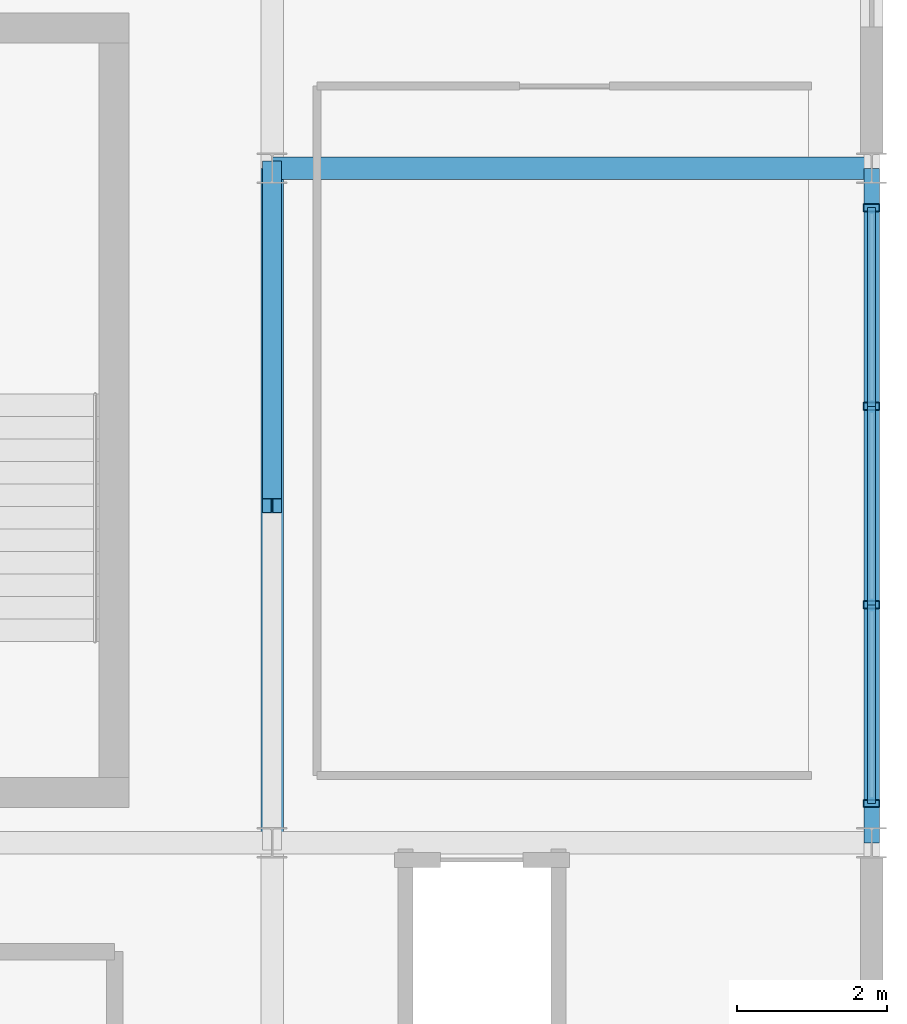
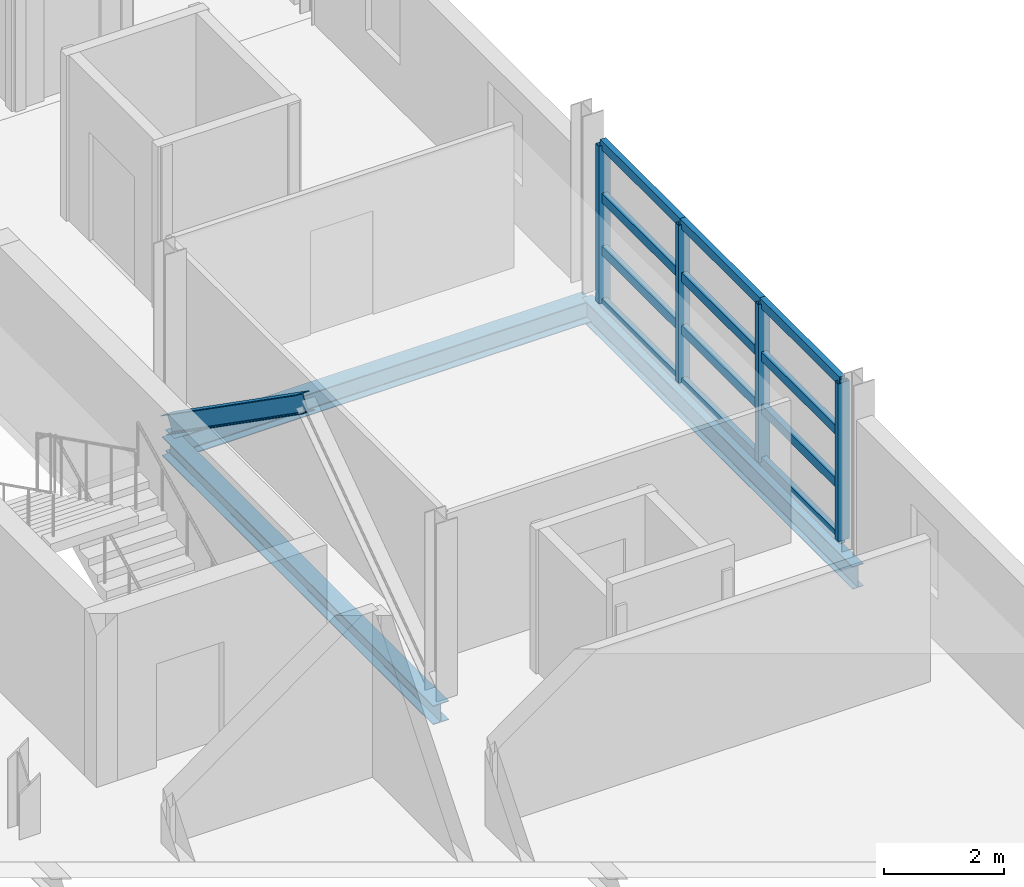
# One storey, part 73 of 116: 17 members, 3 beams, 1 element without a shape of its own.
"""IFC4 building model written with IfcOpenShell, lengths in metres."""

from ifc_helpers import new_model, si_unit, direction, frame, origin, origin_2d, place, context, subcontext, project, spatial, hollow_rectangle, i_section, extrude, material, material_profile, profile_set, type_object, element, aggregate, save


model = new_model("IFC4")

# Units and contexts
model_context = context("Model", 3, precision=1e-05, world=origin(), true_north=direction((0.0, 1.0)))
body_context = subcontext(model_context, "Body", "Model", "MODEL_VIEW")
ifc_project = project(units=[si_unit("LENGTHUNIT", "METRE"), si_unit("AREAUNIT", "SQUARE_METRE"), si_unit("VOLUMEUNIT", "CUBIC_METRE"), si_unit("PLANEANGLEUNIT", "RADIAN"), si_unit("MASSUNIT", "GRAM", prefix="KILO")], contexts=[model_context])

# Site, building, storey
site_placement = place(None, origin())
site = spatial("IfcSite", under=ifc_project, at=site_placement, CompositionType="ELEMENT")
building_placement = place(site_placement, origin())
building = spatial("IfcBuilding", under=site, at=building_placement, Name="Chuanluo Vaults Station", CompositionType="ELEMENT")
storey_placement = place(building_placement, frame((0.0, 0.0, 10.800048828125)))
storey = spatial("IfcBuildingStorey", under=building, at=storey_placement, Name="L02", CompositionType="ELEMENT", Elevation=10.800048828125)

# Beams
ifc_material_1 = material(Name="Steel Q355C", Category="steel")
ifc_material_profile_1 = material_profile(ifc_material_1, i_section(OverallWidth=0.300048828125, OverallDepth=0.389892578125, WebThickness=0.010009765625, FlangeThickness=0.01611328125, FilletRadius=0.02001953125, at=origin_2d()))
ifc_profile_set_1 = profile_set([ifc_material_profile_1], Name="Steel Q355C")
beam_type_1 = type_object("IfcBeamType", Name="BM-GRD-400", PredefinedType="BEAM", material=ifc_profile_set_1)
beam_1_placement = place(storey_placement, frame((180.0, 85.5, -0.4150390625), z_axis=(0.0, 1.0, 0.0), x_axis=(-1.0, 0.0, 0.0)))
element("IfcBeam", 1, at=beam_1_placement, inside=storey, type_object=beam_type_1, Name="Floor girder BM:GY:L02:0695", PredefinedType="BEAM", context=body_context, shape_type="SweptSolid", body=[
    extrude(i_section(OverallWidth=0.300048828125, OverallDepth=0.389892578125, WebThickness=0.010009765625, FlangeThickness=0.01611328125, FilletRadius=0.02001953125, at=origin_2d()), origin(), (0.0, 0.0, 1.0), 9.0),
])
ifc_material_2 = material(Name="Steel Q355C", Category="steel")
ifc_material_profile_2 = material_profile(ifc_material_2, i_section(OverallWidth=0.300048828125, OverallDepth=0.43994140625, WebThickness=0.010986328125, FlangeThickness=0.01806640625, FilletRadius=0.02001953125, at=origin_2d()))
ifc_profile_set_2 = profile_set([ifc_material_profile_2], Name="Steel Q355C")
beam_type_2 = type_object("IfcBeamType", Name="BM-GRD-450", PredefinedType="USERDEFINED", material=ifc_profile_set_2)
beam_2_placement = place(storey_placement, frame((180.0, 94.5, -0.43994140625), z_axis=(1.0, 0.0, 0.0), x_axis=(0.0, 1.0, 0.0)))
element("IfcBeam", 2, at=beam_2_placement, inside=storey, type_object=beam_type_2, Name="Floor girder BM:GX:L02:0596", ObjectType="GIRDER", PredefinedType="USERDEFINED", context=body_context, shape_type="SweptSolid", body=[
    extrude(i_section(OverallWidth=0.300048828125, OverallDepth=0.43994140625, WebThickness=0.010986328125, FlangeThickness=0.01806640625, FilletRadius=0.02001953125, at=origin_2d()), origin(), (0.0, 0.0, 1.0), 8.0),
])
ifc_material_3 = material(Name="Steel Q355C", Category="steel")
ifc_material_profile_3 = material_profile(ifc_material_3, i_section(OverallWidth=0.205078125, OverallDepth=0.4599609375, WebThickness=0.009033203125, FlangeThickness=0.013916015625, FilletRadius=0.01611328125, at=origin_2d()))
ifc_profile_set_3 = profile_set([ifc_material_profile_3], Name="Steel Q355C")
beam_type_3 = type_object("IfcBeamType", Name="BM-SPN-450", PredefinedType="SPANDREL", material=ifc_profile_set_3)
beam_3_placement = place(storey_placement, frame((188.0, 85.5, -0.449951171875), z_axis=(0.0, 1.0, 0.0), x_axis=(-1.0, 0.0, 0.0)))
element("IfcBeam", 3, at=beam_3_placement, inside=storey, type_object=beam_type_3, Name="Floor girder BM:GY:L02:0707", PredefinedType="SPANDREL", context=body_context, shape_type="SweptSolid", body=[
    extrude(i_section(OverallWidth=0.205078125, OverallDepth=0.4599609375, WebThickness=0.009033203125, FlangeThickness=0.013916015625, FilletRadius=0.01611328125, at=origin_2d()), origin(), (0.0, 0.0, 1.0), 9.0),
])

# Curtain wall, members
ifc_material_4 = material(Name="Anodised aluminium 6063-T6", Category="aluminium")
curtain_wall_type = type_object("IfcCurtainWallType", Name="CW-SYS-16", PredefinedType="NOTDEFINED", material=ifc_material_4)
curtain_wall_placement = place(storey_placement, origin())
curtain_wall = element("IfcCurtainWall", 4, at=curtain_wall_placement, inside=storey, type_object=curtain_wall_type, Name="Operations L02 facade CW", PredefinedType="NOTDEFINED")
ifc_material_5 = material(Name="Anodised aluminium 6063-T6", Category="aluminium")
ifc_material_profile_4 = material_profile(ifc_material_5, hollow_rectangle(XDim=0.10498046875, YDim=0.219970703125, WallThickness=0.006103515625, at=origin_2d()))
ifc_profile_set_4 = profile_set([ifc_material_profile_4], Name="Anodised aluminium 6063-T6")
member_type_1 = type_object("IfcMemberType", Name="CWM-140", PredefinedType="MULLION", material=ifc_profile_set_4)
member_1_placement = place(storey_placement, frame((188.0, 93.97509765625, 0.0), z_axis=(0.0, 0.0, 1.0), x_axis=(0.0, -1.0, 0.0)))
member_1 = element("IfcMember", 5, at=member_1_placement, type_object=member_type_1, Name="Operations L02 facade CW mullion 1", PredefinedType="MULLION", context=body_context, shape_type="SweptSolid", body=[
    extrude(hollow_rectangle(XDim=0.10498046875, YDim=0.219970703125, WallThickness=0.006103515625, at=origin_2d()), origin(), (0.0, 0.0, 1.0), 3.199951171875),
])
member_2_placement = place(storey_placement, frame((188.0, 91.324951171875, 0.0), z_axis=(0.0, 0.0, 1.0), x_axis=(0.0, -1.0, 0.0)))
member_2 = element("IfcMember", 6, at=member_2_placement, type_object=member_type_1, Name="Operations L02 facade CW mullion 2", PredefinedType="MULLION", context=body_context, shape_type="SweptSolid", body=[
    extrude(hollow_rectangle(XDim=0.10498046875, YDim=0.219970703125, WallThickness=0.006103515625, at=origin_2d()), origin(), (0.0, 0.0, 1.0), 3.199951171875),
])
member_3_placement = place(storey_placement, frame((188.0, 88.675048828125, 0.0), z_axis=(0.0, 0.0, 1.0), x_axis=(0.0, -1.0, 0.0)))
member_3 = element("IfcMember", 7, at=member_3_placement, type_object=member_type_1, Name="Operations L02 facade CW mullion 3", PredefinedType="MULLION", context=body_context, shape_type="SweptSolid", body=[
    extrude(hollow_rectangle(XDim=0.10498046875, YDim=0.219970703125, WallThickness=0.006103515625, at=origin_2d()), origin(), (0.0, 0.0, 1.0), 3.199951171875),
])
member_4_placement = place(storey_placement, frame((188.0, 86.02490234375, 0.0), z_axis=(0.0, 0.0, 1.0), x_axis=(0.0, -1.0, 0.0)))
member_4 = element("IfcMember", 8, at=member_4_placement, type_object=member_type_1, Name="Operations L02 facade CW mullion 4", PredefinedType="MULLION", context=body_context, shape_type="SweptSolid", body=[
    extrude(hollow_rectangle(XDim=0.10498046875, YDim=0.219970703125, WallThickness=0.006103515625, at=origin_2d()), origin(), (0.0, 0.0, 1.0), 3.199951171875),
])
ifc_material_6 = material(Name="Anodised aluminium 6063-T6", Category="aluminium")
ifc_material_profile_5 = material_profile(ifc_material_6, hollow_rectangle(XDim=0.10498046875, YDim=0.18505859375, WallThickness=0.0048828125, at=origin_2d()))
ifc_profile_set_5 = profile_set([ifc_material_profile_5], Name="Anodised aluminium 6063-T6")
member_type_2 = type_object("IfcMemberType", Name="CWT-110", PredefinedType="USERDEFINED", material=ifc_profile_set_5)
member_5_placement = place(storey_placement, frame((188.0, 93.97509765625, 0.0), z_axis=(0.0, -1.0, 0.0), x_axis=(1.0, 0.0, 0.0)))
member_5 = element("IfcMember", 9, at=member_5_placement, type_object=member_type_2, Name="Operations L02 facade CW transom 1.1", ObjectType="TRANSOM", PredefinedType="USERDEFINED", context=body_context, shape_type="SweptSolid", body=[
    extrude(hollow_rectangle(XDim=0.10498046875, YDim=0.18505859375, WallThickness=0.0048828125, at=origin_2d()), origin(), (0.0, 0.0, 1.0), 2.650146484375),
])
member_6_placement = place(storey_placement, frame((188.0, 93.97509765625, 1.066650390625), z_axis=(0.0, -1.0, 0.0), x_axis=(1.0, 0.0, 0.0)))
member_6 = element("IfcMember", 10, at=member_6_placement, type_object=member_type_2, Name="Operations L02 facade CW transom 1.2", ObjectType="TRANSOM", PredefinedType="USERDEFINED", context=body_context, shape_type="SweptSolid", body=[
    extrude(hollow_rectangle(XDim=0.10498046875, YDim=0.18505859375, WallThickness=0.0048828125, at=origin_2d()), origin(), (0.0, 0.0, 1.0), 2.650146484375),
])
member_7_placement = place(storey_placement, frame((188.0, 93.97509765625, 2.13330078125), z_axis=(0.0, -1.0, 0.0), x_axis=(1.0, 0.0, 0.0)))
member_7 = element("IfcMember", 11, at=member_7_placement, type_object=member_type_2, Name="Operations L02 facade CW transom 1.3", ObjectType="TRANSOM", PredefinedType="USERDEFINED", context=body_context, shape_type="SweptSolid", body=[
    extrude(hollow_rectangle(XDim=0.10498046875, YDim=0.18505859375, WallThickness=0.0048828125, at=origin_2d()), origin(), (0.0, 0.0, 1.0), 2.650146484375),
])
member_8_placement = place(storey_placement, frame((188.0, 93.97509765625, 3.199951171875), z_axis=(0.0, -1.0, 0.0), x_axis=(1.0, 0.0, 0.0)))
member_8 = element("IfcMember", 12, at=member_8_placement, type_object=member_type_2, Name="Operations L02 facade CW transom 1.4", ObjectType="TRANSOM", PredefinedType="USERDEFINED", context=body_context, shape_type="SweptSolid", body=[
    extrude(hollow_rectangle(XDim=0.10498046875, YDim=0.18505859375, WallThickness=0.0048828125, at=origin_2d()), origin(), (0.0, 0.0, 1.0), 2.650146484375),
])
member_9_placement = place(storey_placement, frame((188.0, 91.324951171875, 0.0), z_axis=(0.0, -1.0, 0.0), x_axis=(1.0, 0.0, 0.0)))
member_9 = element("IfcMember", 13, at=member_9_placement, type_object=member_type_2, Name="Operations L02 facade CW transom 2.1", ObjectType="TRANSOM", PredefinedType="USERDEFINED", context=body_context, shape_type="SweptSolid", body=[
    extrude(hollow_rectangle(XDim=0.10498046875, YDim=0.18505859375, WallThickness=0.0048828125, at=origin_2d()), origin(), (0.0, 0.0, 1.0), 2.64990234375),
])
member_10_placement = place(storey_placement, frame((188.0, 91.324951171875, 1.066650390625), z_axis=(0.0, -1.0, 0.0), x_axis=(1.0, 0.0, 0.0)))
member_10 = element("IfcMember", 14, at=member_10_placement, type_object=member_type_2, Name="Operations L02 facade CW transom 2.2", ObjectType="TRANSOM", PredefinedType="USERDEFINED", context=body_context, shape_type="SweptSolid", body=[
    extrude(hollow_rectangle(XDim=0.10498046875, YDim=0.18505859375, WallThickness=0.0048828125, at=origin_2d()), origin(), (0.0, 0.0, 1.0), 2.64990234375),
])
member_11_placement = place(storey_placement, frame((188.0, 91.324951171875, 2.13330078125), z_axis=(0.0, -1.0, 0.0), x_axis=(1.0, 0.0, 0.0)))
member_11 = element("IfcMember", 15, at=member_11_placement, type_object=member_type_2, Name="Operations L02 facade CW transom 2.3", ObjectType="TRANSOM", PredefinedType="USERDEFINED", context=body_context, shape_type="SweptSolid", body=[
    extrude(hollow_rectangle(XDim=0.10498046875, YDim=0.18505859375, WallThickness=0.0048828125, at=origin_2d()), origin(), (0.0, 0.0, 1.0), 2.64990234375),
])
member_12_placement = place(storey_placement, frame((188.0, 91.324951171875, 3.199951171875), z_axis=(0.0, -1.0, 0.0), x_axis=(1.0, 0.0, 0.0)))
member_12 = element("IfcMember", 16, at=member_12_placement, type_object=member_type_2, Name="Operations L02 facade CW transom 2.4", ObjectType="TRANSOM", PredefinedType="USERDEFINED", context=body_context, shape_type="SweptSolid", body=[
    extrude(hollow_rectangle(XDim=0.10498046875, YDim=0.18505859375, WallThickness=0.0048828125, at=origin_2d()), origin(), (0.0, 0.0, 1.0), 2.64990234375),
])
member_13_placement = place(storey_placement, frame((188.0, 88.675048828125, 0.0), z_axis=(0.0, -1.0, 0.0), x_axis=(1.0, 0.0, 0.0)))
member_13 = element("IfcMember", 17, at=member_13_placement, type_object=member_type_2, Name="Operations L02 facade CW transom 3.1", ObjectType="TRANSOM", PredefinedType="USERDEFINED", context=body_context, shape_type="SweptSolid", body=[
    extrude(hollow_rectangle(XDim=0.10498046875, YDim=0.18505859375, WallThickness=0.0048828125, at=origin_2d()), origin(), (0.0, 0.0, 1.0), 2.650146484375),
])
member_14_placement = place(storey_placement, frame((188.0, 88.675048828125, 1.066650390625), z_axis=(0.0, -1.0, 0.0), x_axis=(1.0, 0.0, 0.0)))
member_14 = element("IfcMember", 18, at=member_14_placement, type_object=member_type_2, Name="Operations L02 facade CW transom 3.2", ObjectType="TRANSOM", PredefinedType="USERDEFINED", context=body_context, shape_type="SweptSolid", body=[
    extrude(hollow_rectangle(XDim=0.10498046875, YDim=0.18505859375, WallThickness=0.0048828125, at=origin_2d()), origin(), (0.0, 0.0, 1.0), 2.650146484375),
])
member_15_placement = place(storey_placement, frame((188.0, 88.675048828125, 2.13330078125), z_axis=(0.0, -1.0, 0.0), x_axis=(1.0, 0.0, 0.0)))
member_15 = element("IfcMember", 19, at=member_15_placement, type_object=member_type_2, Name="Operations L02 facade CW transom 3.3", ObjectType="TRANSOM", PredefinedType="USERDEFINED", context=body_context, shape_type="SweptSolid", body=[
    extrude(hollow_rectangle(XDim=0.10498046875, YDim=0.18505859375, WallThickness=0.0048828125, at=origin_2d()), origin(), (0.0, 0.0, 1.0), 2.650146484375),
])
member_16_placement = place(storey_placement, frame((188.0, 88.675048828125, 3.199951171875), z_axis=(0.0, -1.0, 0.0), x_axis=(1.0, 0.0, 0.0)))
member_16 = element("IfcMember", 20, at=member_16_placement, type_object=member_type_2, Name="Operations L02 facade CW transom 3.4", ObjectType="TRANSOM", PredefinedType="USERDEFINED", context=body_context, shape_type="SweptSolid", body=[
    extrude(hollow_rectangle(XDim=0.10498046875, YDim=0.18505859375, WallThickness=0.0048828125, at=origin_2d()), origin(), (0.0, 0.0, 1.0), 2.650146484375),
])
aggregate(curtain_wall, [member_1, member_2, member_3, member_4, member_5, member_6, member_7, member_8, member_9, member_10, member_11, member_12, member_13, member_14, member_15, member_16])

# Member
ifc_material_7 = material(Name="Steel Q355C", Category="steel")
ifc_material_profile_6 = material_profile(ifc_material_7, i_section(OverallWidth=0.25, OverallDepth=0.340087890625, WebThickness=0.009033203125, FlangeThickness=0.013916015625, FilletRadius=0.01611328125, at=origin_2d()))
ifc_profile_set_6 = profile_set([ifc_material_profile_6], Name="Steel Q355C")
member_type_3 = type_object("IfcMemberType", Name="MEM-CBR-340", PredefinedType="BRACE", material=ifc_profile_set_6)
member_17_placement = place(storey_placement, frame((180.0, 94.5, 0.0), z_axis=(0.0, -0.819240272819, 0.573450412321), x_axis=(1.0, 0.0, 0.0)))
element("IfcMember", 21, at=member_17_placement, inside=storey, type_object=member_type_3, Name="Lateral chevron brace 06", PredefinedType="BRACE", context=body_context, shape_type="SweptSolid", body=[
    extrude(i_section(OverallWidth=0.25, OverallDepth=0.340087890625, WebThickness=0.009033203125, FlangeThickness=0.013916015625, FilletRadius=0.01611328125, at=origin_2d()), origin(), (0.0, 0.0, 1.0), 5.492919921875),
])

save(model, "model.ifc")
